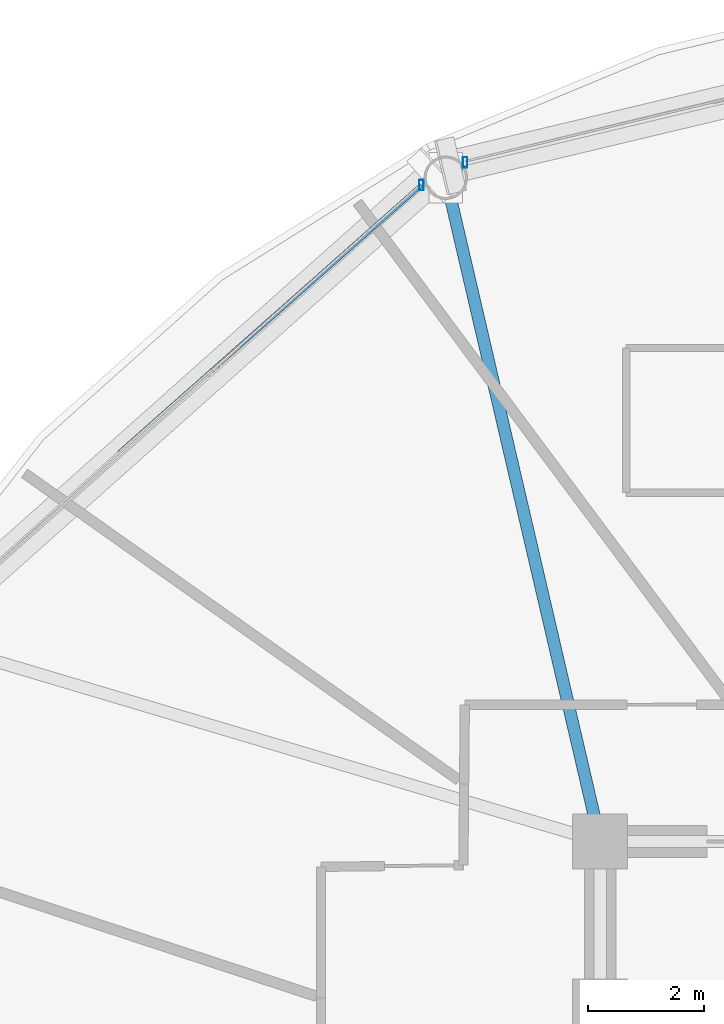
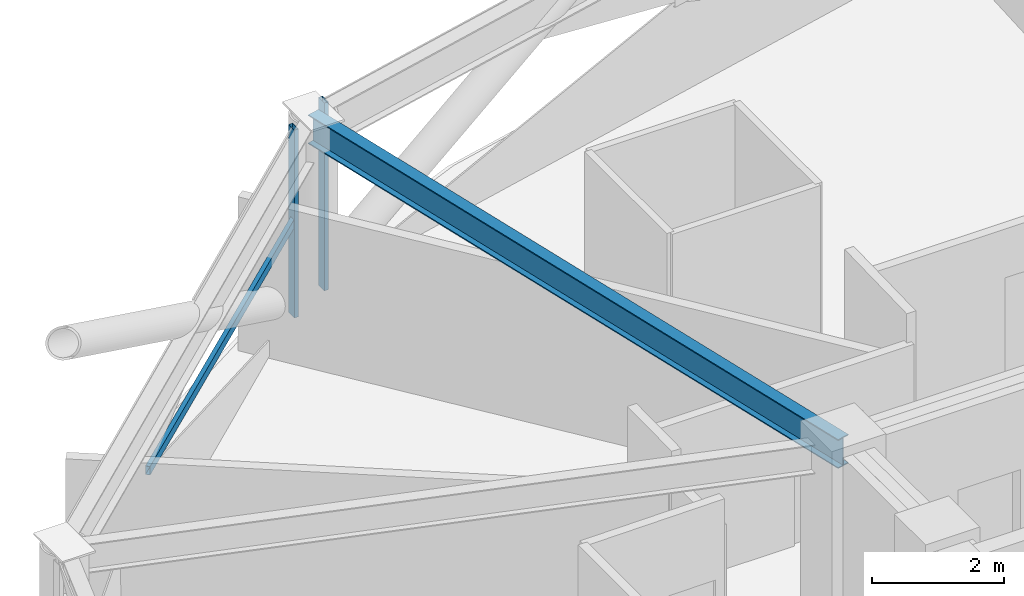
# One storey, part 14 of 29: 3 members, 1 beam, 2 elements without a shape of their own.
"""IFC4 building model written with IfcOpenShell, lengths in metres."""

import ifcopenshell
import ifcopenshell.guid

model = None  # the IFC model being written
_history = None  # IfcOwnerHistory: only IFC2X3 demands one
_inside = {}  # id of a spatial element -> (the spatial element, [elements in it])
_under = {}  # id of a project, library or spatial element -> (it, [spatial elements below it])
_declared = {}  # id of a project -> (the project, [libraries it declares])
_typed = {}  # id of a type object -> (the type object, [elements of that type])
_made_of = {}  # id of a material, layer set ... -> (it, [elements and type objects made of it])


def new_model(schema):
    """Start an empty IFC model of exactly this schema.

    Asked for "IFC4X3", IfcOpenShell would pick the latest addendum, in which some entities
    have other attributes; the version numbers below select the first issue.
    IFC2X3 requires an IfcOwnerHistory on every rooted entity: one is made here for all.
    """
    global model, _history
    if schema == "IFC4X3":
        model = ifcopenshell.file(schema_version=(4, 3, 0, 0))
    else:
        model = ifcopenshell.file(schema=schema)
    _inside.clear()
    _under.clear()
    _declared.clear()
    _typed.clear()
    _made_of.clear()
    _history = None
    if model.schema == "IFC2X3":
        org = make("IfcOrganization", Name="unknown")
        user = make(
            "IfcPersonAndOrganization",
            ThePerson=make("IfcPerson", FamilyName="unknown"),
            TheOrganization=org,
        )
        app = make(
            "IfcApplication",
            ApplicationDeveloper=org,
            Version="unknown",
            ApplicationFullName="unknown",
            ApplicationIdentifier="unknown",
        )
        _history = make(
            "IfcOwnerHistory",
            OwningUser=user,
            OwningApplication=app,
            ChangeAction="ADDED",
            CreationDate=0,
        )
    return model


def make(cls, **values):
    """One entity of the class cls with the attributes given. An attribute that is None is left unset."""
    return model.create_entity(
        cls, **{name: value for name, value in values.items() if value is not None}
    )


def rooted(cls, **values):
    """An entity with a GlobalId (a new one), such as an element, a storey or a relation."""
    return make(cls, GlobalId=ifcopenshell.guid.new(), OwnerHistory=_history, **values)


def si_unit(unit_type, name, prefix=None):
    """IfcSIUnit, for example si_unit("LENGTHUNIT", "METRE", prefix="MILLI")."""
    return make("IfcSIUnit", UnitType=unit_type, Prefix=prefix, Name=name)


def assignment(units):
    """IfcUnitAssignment: the units of a project."""
    return None if units is None else make("IfcUnitAssignment", Units=units)


def point(xyz):
    """IfcCartesianPoint."""
    return None if xyz is None else make("IfcCartesianPoint", Coordinates=xyz)


def direction(xyz):
    """IfcDirection."""
    return None if xyz is None else make("IfcDirection", DirectionRatios=xyz)


def frame(location, z_axis=None, x_axis=None):
    """IfcAxis2Placement3D, a coordinate frame: its origin and axes. An axis left out is left unset."""
    return make(
        "IfcAxis2Placement3D",
        Location=point(location),
        Axis=direction(z_axis),
        RefDirection=direction(x_axis),
    )


def frame_2d(location, x_axis=None):
    """IfcAxis2Placement2D, a coordinate frame in the plane: its origin and x axis."""
    return make(
        "IfcAxis2Placement2D", Location=point(location), RefDirection=direction(x_axis)
    )


def origin():
    """The frame at (0, 0, 0) with its axes left unset."""
    return frame((0.0, 0.0, 0.0))


def origin_2d():
    """The frame at (0, 0) in the plane with its x axis left unset."""
    return frame_2d((0.0, 0.0))


def place(relative_to, where):
    """IfcLocalPlacement: puts the frame where relative to a parent placement (None: the world)."""
    return make(
        "IfcLocalPlacement", PlacementRelTo=relative_to, RelativePlacement=where
    )


def context(
    kind, dimensions, precision=None, world=None, true_north=None, identifier=None
):
    """IfcGeometricRepresentationContext, for example the 3D "Model" context."""
    return make(
        "IfcGeometricRepresentationContext",
        ContextIdentifier=identifier,
        ContextType=kind,
        CoordinateSpaceDimension=dimensions,
        Precision=precision,
        WorldCoordinateSystem=world,
        TrueNorth=true_north,
    )


def subcontext(parent, identifier, kind, view, scale=None):
    """IfcGeometricRepresentationSubContext, for example "Body" below "Model"."""
    return make(
        "IfcGeometricRepresentationSubContext",
        ContextIdentifier=identifier,
        ContextType=kind,
        ParentContext=parent,
        TargetScale=scale,
        TargetView=view,
    )


def project(units=None, contexts=None):
    """IfcProject with its units and contexts."""
    return rooted(
        "IfcProject",
        Name="project",
        RepresentationContexts=contexts,
        UnitsInContext=assignment(units),
    )


def spatial(cls, under=None, at=None, **own):
    """A site, building, storey or space (cls), placed at a placement, below another one or the project."""
    s = rooted(cls, ObjectPlacement=at, **own)
    if under is not None:
        _under.setdefault(under.id(), (under, []))[1].append(s)
    return s


def profile(cls, at=None, kind="AREA", **sizes):
    """A parametric profile (cls). Its sizes go by their IFC names, for example OverallWidth=200.0."""
    return make(cls, ProfileType=kind, Position=at, **sizes)


def hollow_rectangle(**sizes):
    """IfcRectangleHollowProfileDef."""
    return profile("IfcRectangleHollowProfileDef", **sizes)


def i_section(**sizes):
    """IfcIShapeProfileDef."""
    return profile("IfcIShapeProfileDef", **sizes)


def extrude(swept, where, along, depth):
    """IfcExtrudedAreaSolid: the profile swept, set in the frame where, extruded along a direction by depth."""
    return make(
        "IfcExtrudedAreaSolid",
        SweptArea=swept,
        Position=where,
        ExtrudedDirection=direction(along),
        Depth=depth,
    )


def shape(context_of_items, identifier, shape_type, items):
    """IfcShapeRepresentation: the items that make up one representation, for example the "Body"."""
    return make(
        "IfcShapeRepresentation",
        ContextOfItems=context_of_items,
        RepresentationIdentifier=identifier,
        RepresentationType=shape_type,
        Items=items,
    )


def material(Name=None, Category=None):
    """IfcMaterial."""
    return make("IfcMaterial", Name=Name, Category=Category)


def layer(
    of_material, thickness, ventilated=None, Name=None, Category=None, Priority=None
):
    """IfcMaterialLayer: one layer of a wall or slab, of a material (None: an air gap)."""
    return make(
        "IfcMaterialLayer",
        Material=of_material,
        LayerThickness=thickness,
        IsVentilated=ventilated,
        Name=Name,
        Category=Category,
        Priority=Priority,
    )


def layer_set(layers, Name=None):
    """IfcMaterialLayerSet."""
    return make("IfcMaterialLayerSet", MaterialLayers=layers, LayerSetName=Name)


def material_profile(
    of_material, cross_section, Name=None, Category=None, Priority=None
):
    """IfcMaterialProfile: a cross section and its material."""
    return make(
        "IfcMaterialProfile",
        Name=Name,
        Material=of_material,
        Profile=cross_section,
        Priority=Priority,
        Category=Category,
    )


def profile_set(profiles, Name=None, composite=None):
    """IfcMaterialProfileSet."""
    return make(
        "IfcMaterialProfileSet",
        Name=Name,
        MaterialProfiles=profiles,
        CompositeProfile=composite,
    )


def made_of(thing, what):
    """Note that an element or type object is made of a material, layer set ...; save() writes the relation."""
    if what is not None:
        _made_of.setdefault(what.id(), (what, []))[1].append(thing)
    return thing


def type_object(cls, material=None, **own):
    """A type object (cls), such as IfcWallType, which elements share."""
    return made_of(rooted(cls, **own), material)


def element(
    cls,
    number,
    at=None,
    inside=None,
    cuts=None,
    type_object=None,
    material=None,
    context=None,
    identifier="Body",
    shape_type=None,
    held_by="IfcProductDefinitionShape",
    body=None,
    shapes=None,
    **own,
):
    """One element of the class cls, such as IfcWall. Its Tag is "e" and its number.

    at: its placement. inside: the storey or other place that contains it. cuts: it is an
    opening in that element (IfcRelVoidsElement). A single representation is given by context,
    identifier, shape_type and body (its items); several are given by shapes. held_by: the class
    of the entity that holds the representations. save() writes the other relations.
    """
    e = rooted(cls, Tag="e%d" % number, ObjectPlacement=at, **own)
    if body is not None:
        shapes = [shape(context, identifier, shape_type, body)]
    if shapes is not None:
        e.Representation = make(held_by, Representations=shapes)
    if inside is not None:
        _inside.setdefault(inside.id(), (inside, []))[1].append(e)
    if cuts is not None:
        rooted(
            "IfcRelVoidsElement", RelatingBuildingElement=cuts, RelatedOpeningElement=e
        )
    if type_object is not None:
        _typed.setdefault(type_object.id(), (type_object, []))[1].append(e)
    return made_of(e, material)


def aggregate(whole, parts):
    """IfcRelAggregates: a whole, such as a stair, and the parts it consists of."""
    return rooted("IfcRelAggregates", RelatingObject=whole, RelatedObjects=parts)


def save(model, path):
    """Write the relations noted so far, then the file.

    IfcRelAggregates (storeys below a building ...), IfcRelContainedInSpatialStructure (elements
    in a storey), IfcRelDefinesByType, IfcRelAssociatesMaterial and IfcRelDeclares: one each for
    every whole, place, type object, material and project.
    """
    for whole, parts in _under.values():
        aggregate(whole, parts)
    for where, things in _inside.values():
        rooted(
            "IfcRelContainedInSpatialStructure",
            RelatedElements=things,
            RelatingStructure=where,
        )
    for kind, things in _typed.values():
        rooted("IfcRelDefinesByType", RelatedObjects=things, RelatingType=kind)
    for what, things in _made_of.values():
        rooted("IfcRelAssociatesMaterial", RelatedObjects=things, RelatingMaterial=what)
    for by, libraries in _declared.values():
        rooted("IfcRelDeclares", RelatingContext=by, RelatedDefinitions=libraries)
    model.write(path)


model = new_model("IFC4")

# Units and contexts
model_context = context("Model", 3, precision=1e-05, world=origin(), true_north=direction((0.0, 1.0)))
body_context = subcontext(model_context, "Body", "Model", "MODEL_VIEW")
ifc_project = project(units=[si_unit("LENGTHUNIT", "METRE"), si_unit("AREAUNIT", "SQUARE_METRE"), si_unit("VOLUMEUNIT", "CUBIC_METRE"), si_unit("PLANEANGLEUNIT", "RADIAN"), si_unit("MASSUNIT", "GRAM", prefix="KILO")], contexts=[model_context])

# Site, building, storey
site_placement = place(None, origin())
site = spatial("IfcSite", under=ifc_project, at=site_placement, CompositionType="ELEMENT")
building_placement = place(site_placement, origin())
building = spatial("IfcBuilding", under=site, at=building_placement, Name="Vantalir Tower", CompositionType="ELEMENT")
storey_placement = place(building_placement, frame((0.0, 0.0, 164.699951171875)))
storey = spatial("IfcBuildingStorey", under=building, at=storey_placement, Name="L41", CompositionType="ELEMENT", Elevation=164.699951171875)

# Beam
ifc_material_1 = material(Name="Steel S355", Category="steel")
ifc_material_profile_1 = material_profile(ifc_material_1, i_section(OverallWidth=0.2109375, OverallDepth=0.5390625, WebThickness=0.01171875, FlangeThickness=0.018798828125, at=origin_2d()), Name="Steel S355")
ifc_profile_set_1 = profile_set([ifc_material_profile_1], Name="Steel S355")
beam_type = type_object("IfcBeamType", Name="BM-RB-533x210", PredefinedType="BEAM", material=ifc_profile_set_1)
beam_placement = place(storey_placement, frame((19.23193359375, 43.9208984375, 3.301025390625), z_axis=(0.226538191981, -0.974002283146, 0.0), x_axis=(0.974002283146, 0.226538191981, 0.0)))
element("IfcBeam", 1, at=beam_placement, inside=storey, type_object=beam_type, Name="L41 Radial Floor Beam 05", PredefinedType="BEAM", context=body_context, shape_type="SweptSolid", body=[
    extrude(i_section(OverallWidth=0.2109375, OverallDepth=0.5390625, WebThickness=0.01171875, FlangeThickness=0.018798828125, at=origin_2d()), origin(), (0.0, 0.0, 1.0), 11.777099609375),
])

# Curtain wall, member
ifc_material_2 = material(Name="Champagne-silver PVDF aluminium and double-silver Low-E glass", Category="aluminium")
ifc_layer = layer(ifc_material_2, 0.199951171875)
ifc_layer_set = layer_set([ifc_layer], Name="Champagne-silver PVDF aluminium and double-silver Low-E glass")
curtain_wall_type = type_object("IfcCurtainWallType", Name="CW-DIAMOND-Z2", PredefinedType="USERDEFINED", material=ifc_layer_set)
curtain_wall_1_placement = place(storey_placement, origin())
curtain_wall_1 = element("IfcCurtainWall", 2, at=curtain_wall_1_placement, inside=storey, type_object=curtain_wall_type, Name="L41 Quilted Pyramid-Diamond Curtain Wall S04", ObjectType="UNITISED CURTAIN WALL", PredefinedType="USERDEFINED")
ifc_material_3 = material(Name="Champagne-silver PVDF aluminium 6063-T6", Category="aluminium")
ifc_material_profile_2 = material_profile(ifc_material_3, hollow_rectangle(XDim=0.074951171875, YDim=0.179931640625, WallThickness=0.00390625, at=origin_2d()), Name="Champagne-silver PVDF aluminium 6063-T6")
ifc_profile_set_2 = profile_set([ifc_material_profile_2], Name="Champagne-silver PVDF aluminium 6063-T6")
member_type_1 = type_object("IfcMemberType", Name="CWM-180x75", PredefinedType="MULLION", material=ifc_profile_set_2)
member_1_placement = place(storey_placement, frame((19.56494140625, 44.18701171875, 0.045166015625), z_axis=(0.0, 0.0, 1.0), x_axis=(1.0, 0.0, 0.0)))
member_1 = element("IfcMember", 3, at=member_1_placement, type_object=member_type_1, Name="CW-L41-S04 Mullion 2", PredefinedType="MULLION", context=body_context, shape_type="SweptSolid", body=[
    extrude(hollow_rectangle(XDim=0.074951171875, YDim=0.179931640625, WallThickness=0.00390625, at=origin_2d()), origin(), (0.0, 0.0, 1.0), 3.47998046875),
])
aggregate(curtain_wall_1, [member_1])

# Curtain wall, members
curtain_wall_2_placement = place(storey_placement, origin())
curtain_wall_2 = element("IfcCurtainWall", 4, at=curtain_wall_2_placement, inside=storey, type_object=curtain_wall_type, Name="L41 Quilted Pyramid-Diamond Curtain Wall S05", ObjectType="UNITISED CURTAIN WALL", PredefinedType="USERDEFINED")
member_2_placement = place(storey_placement, frame((18.80908203125, 43.7919921875, 0.045166015625), z_axis=(0.0, 0.0, 1.0), x_axis=(1.0, 0.0, 0.0)))
member_2 = element("IfcMember", 5, at=member_2_placement, type_object=member_type_1, Name="CW-L41-S05 Mullion 1", PredefinedType="MULLION", context=body_context, shape_type="SweptSolid", body=[
    extrude(hollow_rectangle(XDim=0.074951171875, YDim=0.179931640625, WallThickness=0.00390625, at=origin_2d()), origin(), (0.0, 0.0, 1.0), 3.47998046875),
])
ifc_material_profile_3 = material_profile(ifc_material_3, hollow_rectangle(XDim=0.074951171875, YDim=0.159912109375, WallThickness=0.00390625, at=origin_2d()), Name="Champagne-silver PVDF aluminium 6063-T6")
ifc_profile_set_3 = profile_set([ifc_material_profile_3], Name="Champagne-silver PVDF aluminium 6063-T6")
member_type_2 = type_object("IfcMemberType", Name="CWT-160x75", PredefinedType="USERDEFINED", material=ifc_profile_set_3)
member_3_placement = place(storey_placement, frame((18.80908203125, 43.7919921875, 1.78515625), z_axis=(-0.748813482523, -0.662780784568, 0.0), x_axis=(0.662780784568, -0.748813482523, 0.0)))
member_3 = element("IfcMember", 6, at=member_3_placement, type_object=member_type_2, Name="CW-L41-S05 Pyramid Fold Ridge Transom", ObjectType="TRANSOM", PredefinedType="USERDEFINED", context=body_context, shape_type="SweptSolid", body=[
    extrude(hollow_rectangle(XDim=0.074951171875, YDim=0.159912109375, WallThickness=0.00390625, at=origin_2d()), origin(), (0.0, 0.0, 1.0), 6.975341796875),
])
aggregate(curtain_wall_2, [member_2, member_3])

save(model, "model.ifc")
